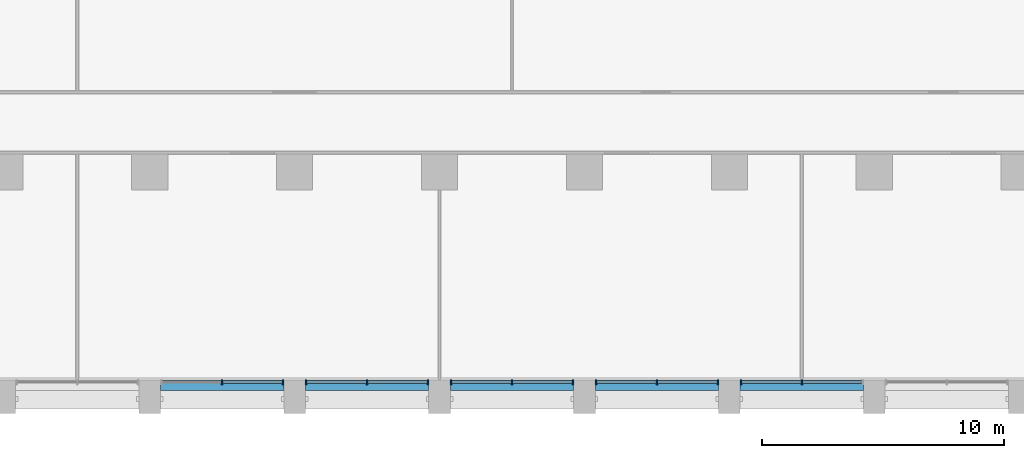
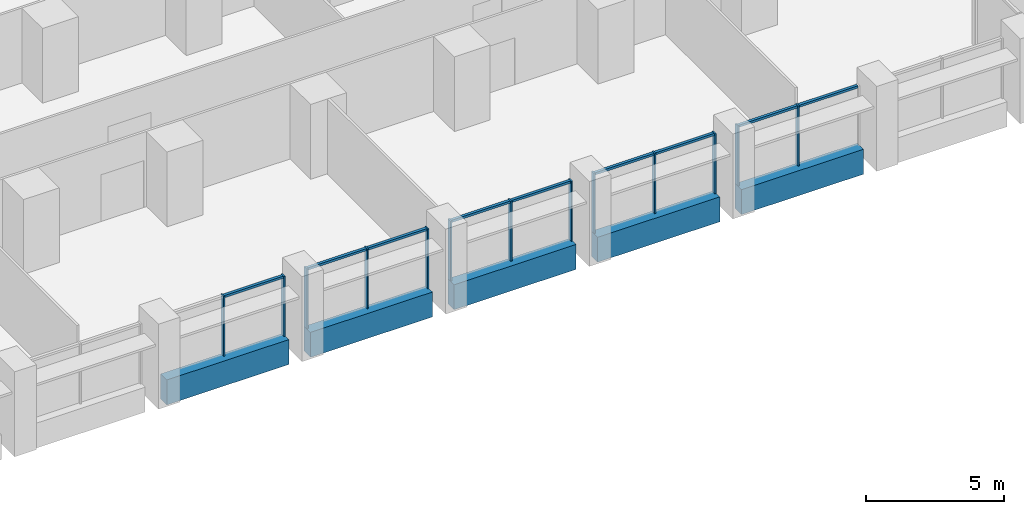
# One storey, part 3 of 18: 22 members, 5 beams, 5 elements without a shape of their own.
"""IFC4 building model written with IfcOpenShell, lengths in metres."""

from ifc_helpers import new_model, si_unit, direction, frame, origin, origin_2d, place, context, subcontext, project, spatial, rectangle, extrude, material, material_profile, profile_set, type_object, element, aggregate, save


model = new_model("IFC4")

# Units and contexts
model_context = context("Model", 3, precision=1e-05, world=origin(), true_north=direction((0.0, 1.0)))
body_context = subcontext(model_context, "Body", "Model", "MODEL_VIEW")
ifc_project = project(units=[si_unit("LENGTHUNIT", "METRE"), si_unit("AREAUNIT", "SQUARE_METRE"), si_unit("VOLUMEUNIT", "CUBIC_METRE"), si_unit("PLANEANGLEUNIT", "RADIAN"), si_unit("MASSUNIT", "GRAM", prefix="KILO")], contexts=[model_context])

# Site, building, storey
site_placement = place(None, origin())
site = spatial("IfcSite", under=ifc_project, at=site_placement, CompositionType="ELEMENT")
building_placement = place(site_placement, origin())
building = spatial("IfcBuilding", under=site, at=building_placement, Name="Calvaro Tower", CompositionType="ELEMENT")
storey_placement = place(building_placement, frame((0.0, 0.0, 82.5)))
storey = spatial("IfcBuildingStorey", under=building, at=storey_placement, Name="L20", CompositionType="ELEMENT", Elevation=82.5)

# Curtain wall, members
ifc_material_1 = material(Name="Anodised aluminium", Category="aluminium")
curtain_wall_type = type_object("IfcCurtainWallType", Name="Office curtain wall, lower zone", PredefinedType="NOTDEFINED", material=ifc_material_1)
curtain_wall_1_placement = place(storey_placement, origin())
curtain_wall_1 = element("IfcCurtainWall", 1, at=curtain_wall_1_placement, inside=storey, type_object=curtain_wall_type, Name="CW1 south curtain wall", PredefinedType="NOTDEFINED")
ifc_material_2 = material(Name="Anodised aluminium", Category="aluminium")
ifc_material_profile_1 = material_profile(ifc_material_2, rectangle(XDim=0.199951171875, YDim=0.06005859375, at=origin_2d()), Name="Mullion S1 60 x 200")
ifc_profile_set_1 = profile_set([ifc_material_profile_1], Name="Anodised aluminium")
member_type_1 = type_object("IfcMemberType", Name="Mullion S1 60 x 200", PredefinedType="MULLION", material=ifc_profile_set_1)
member_1_placement = place(storey_placement, frame((39.0, 1.300048828125, 0.0), z_axis=(0.0, 0.0, 1.0), x_axis=(0.0, 1.0, 0.0)))
member_1 = element("IfcMember", 2, at=member_1_placement, type_object=member_type_1, Name="CW1 mullion 2", PredefinedType="MULLION", context=body_context, shape_type="SweptSolid", body=[
    extrude(rectangle(XDim=0.199951171875, YDim=0.06005859375, at=origin_2d()), origin(), (0.0, 0.0, 1.0), 2.64990234375),
])
member_2_placement = place(storey_placement, frame((41.52001953125, 1.300048828125, 0.0), z_axis=(0.0, 0.0, 1.0), x_axis=(0.0, 1.0, 0.0)))
member_2 = element("IfcMember", 3, at=member_2_placement, type_object=member_type_1, Name="CW1 mullion 3", PredefinedType="MULLION", context=body_context, shape_type="SweptSolid", body=[
    extrude(rectangle(XDim=0.199951171875, YDim=0.06005859375, at=origin_2d()), origin(), (0.0, 0.0, 1.0), 2.64990234375),
])

curtain_wall_2_placement = place(storey_placement, origin())
curtain_wall_2 = element("IfcCurtainWall", 4, at=curtain_wall_2_placement, inside=storey, type_object=curtain_wall_type, Name="CW1 south curtain wall", PredefinedType="NOTDEFINED")
member_3_placement = place(storey_placement, frame((42.47998046875, 1.300048828125, 0.0), z_axis=(0.0, 0.0, 1.0), x_axis=(0.0, 1.0, 0.0)))
member_3 = element("IfcMember", 5, at=member_3_placement, type_object=member_type_1, Name="CW1 mullion 1", PredefinedType="MULLION", context=body_context, shape_type="SweptSolid", body=[
    extrude(rectangle(XDim=0.199951171875, YDim=0.06005859375, at=origin_2d()), origin(), (0.0, 0.0, 1.0), 2.64990234375),
])
member_4_placement = place(storey_placement, frame((45.0, 1.300048828125, 0.0), z_axis=(0.0, 0.0, 1.0), x_axis=(0.0, 1.0, 0.0)))
member_4 = element("IfcMember", 6, at=member_4_placement, type_object=member_type_1, Name="CW1 mullion 2", PredefinedType="MULLION", context=body_context, shape_type="SweptSolid", body=[
    extrude(rectangle(XDim=0.199951171875, YDim=0.06005859375, at=origin_2d()), origin(), (0.0, 0.0, 1.0), 2.64990234375),
])
member_5_placement = place(storey_placement, frame((47.52001953125, 1.300048828125, 0.0), z_axis=(0.0, 0.0, 1.0), x_axis=(0.0, 1.0, 0.0)))
member_5 = element("IfcMember", 7, at=member_5_placement, type_object=member_type_1, Name="CW1 mullion 3", PredefinedType="MULLION", context=body_context, shape_type="SweptSolid", body=[
    extrude(rectangle(XDim=0.199951171875, YDim=0.06005859375, at=origin_2d()), origin(), (0.0, 0.0, 1.0), 2.64990234375),
])

curtain_wall_3_placement = place(storey_placement, origin())
curtain_wall_3 = element("IfcCurtainWall", 8, at=curtain_wall_3_placement, inside=storey, type_object=curtain_wall_type, Name="CW1 south curtain wall", PredefinedType="NOTDEFINED")
member_6_placement = place(storey_placement, frame((48.47998046875, 1.300048828125, 0.0), z_axis=(0.0, 0.0, 1.0), x_axis=(0.0, 1.0, 0.0)))
member_6 = element("IfcMember", 9, at=member_6_placement, type_object=member_type_1, Name="CW1 mullion 1", PredefinedType="MULLION", context=body_context, shape_type="SweptSolid", body=[
    extrude(rectangle(XDim=0.199951171875, YDim=0.06005859375, at=origin_2d()), origin(), (0.0, 0.0, 1.0), 2.64990234375),
])
member_7_placement = place(storey_placement, frame((51.0, 1.300048828125, 0.0), z_axis=(0.0, 0.0, 1.0), x_axis=(0.0, 1.0, 0.0)))
member_7 = element("IfcMember", 10, at=member_7_placement, type_object=member_type_1, Name="CW1 mullion 2", PredefinedType="MULLION", context=body_context, shape_type="SweptSolid", body=[
    extrude(rectangle(XDim=0.199951171875, YDim=0.06005859375, at=origin_2d()), origin(), (0.0, 0.0, 1.0), 2.64990234375),
])
member_8_placement = place(storey_placement, frame((53.52001953125, 1.300048828125, 0.0), z_axis=(0.0, 0.0, 1.0), x_axis=(0.0, 1.0, 0.0)))
member_8 = element("IfcMember", 11, at=member_8_placement, type_object=member_type_1, Name="CW1 mullion 3", PredefinedType="MULLION", context=body_context, shape_type="SweptSolid", body=[
    extrude(rectangle(XDim=0.199951171875, YDim=0.06005859375, at=origin_2d()), origin(), (0.0, 0.0, 1.0), 2.64990234375),
])

curtain_wall_4_placement = place(storey_placement, origin())
curtain_wall_4 = element("IfcCurtainWall", 12, at=curtain_wall_4_placement, inside=storey, type_object=curtain_wall_type, Name="CW1 south curtain wall", PredefinedType="NOTDEFINED")
member_9_placement = place(storey_placement, frame((54.47998046875, 1.300048828125, 0.0), z_axis=(0.0, 0.0, 1.0), x_axis=(0.0, 1.0, 0.0)))
member_9 = element("IfcMember", 13, at=member_9_placement, type_object=member_type_1, Name="CW1 mullion 1", PredefinedType="MULLION", context=body_context, shape_type="SweptSolid", body=[
    extrude(rectangle(XDim=0.199951171875, YDim=0.06005859375, at=origin_2d()), origin(), (0.0, 0.0, 1.0), 2.64990234375),
])
member_10_placement = place(storey_placement, frame((57.0, 1.300048828125, 0.0), z_axis=(0.0, 0.0, 1.0), x_axis=(0.0, 1.0, 0.0)))
member_10 = element("IfcMember", 14, at=member_10_placement, type_object=member_type_1, Name="CW1 mullion 2", PredefinedType="MULLION", context=body_context, shape_type="SweptSolid", body=[
    extrude(rectangle(XDim=0.199951171875, YDim=0.06005859375, at=origin_2d()), origin(), (0.0, 0.0, 1.0), 2.64990234375),
])
member_11_placement = place(storey_placement, frame((59.52001953125, 1.300048828125, 0.0), z_axis=(0.0, 0.0, 1.0), x_axis=(0.0, 1.0, 0.0)))
member_11 = element("IfcMember", 15, at=member_11_placement, type_object=member_type_1, Name="CW1 mullion 3", PredefinedType="MULLION", context=body_context, shape_type="SweptSolid", body=[
    extrude(rectangle(XDim=0.199951171875, YDim=0.06005859375, at=origin_2d()), origin(), (0.0, 0.0, 1.0), 2.64990234375),
])

curtain_wall_5_placement = place(storey_placement, origin())
curtain_wall_5 = element("IfcCurtainWall", 16, at=curtain_wall_5_placement, inside=storey, type_object=curtain_wall_type, Name="CW1 south curtain wall", PredefinedType="NOTDEFINED")
member_12_placement = place(storey_placement, frame((60.47998046875, 1.300048828125, 0.0), z_axis=(0.0, 0.0, 1.0), x_axis=(0.0, 1.0, 0.0)))
member_12 = element("IfcMember", 17, at=member_12_placement, type_object=member_type_1, Name="CW1 mullion 1", PredefinedType="MULLION", context=body_context, shape_type="SweptSolid", body=[
    extrude(rectangle(XDim=0.199951171875, YDim=0.06005859375, at=origin_2d()), origin(), (0.0, 0.0, 1.0), 2.64990234375),
])
member_13_placement = place(storey_placement, frame((63.0, 1.300048828125, 0.0), z_axis=(0.0, 0.0, 1.0), x_axis=(0.0, 1.0, 0.0)))
member_13 = element("IfcMember", 18, at=member_13_placement, type_object=member_type_1, Name="CW1 mullion 2", PredefinedType="MULLION", context=body_context, shape_type="SweptSolid", body=[
    extrude(rectangle(XDim=0.199951171875, YDim=0.06005859375, at=origin_2d()), origin(), (0.0, 0.0, 1.0), 2.64990234375),
])

# Beams
ifc_material_3 = material(Name="Concrete C50/60 precast", Category="concrete")
ifc_material_profile_2 = material_profile(ifc_material_3, rectangle(XDim=0.449951171875, YDim=1.10009765625, at=origin_2d()), Name="RC 450x1100")
ifc_profile_set_2 = profile_set([ifc_material_profile_2], Name="Concrete C50/60 precast")
beam_type = type_object("IfcBeamType", Name="Spandrel beam 450x1100 C50/60", PredefinedType="SPANDREL", material=ifc_profile_set_2)
for number, where, z_axis, x_axis, name in (
    (19, (36.449951171875, 1.175048828125, -0.550048828125), (1.0, 0.0, 0.0), (0.0, 1.0, 0.0), "Spandrel beam"),
    (20, (42.449951171875, 1.175048828125, -0.550048828125), (1.0, 0.0, 0.0), (0.0, 1.0, 0.0), "Spandrel beam"),
    (21, (48.449951171875, 1.175048828125, -0.550048828125), (1.0, 0.0, 0.0), (0.0, 1.0, 0.0), "Spandrel beam"),
    (22, (54.449951171875, 1.175048828125, -0.550048828125), (1.0, 0.0, 0.0), (0.0, 1.0, 0.0), "Spandrel beam"),
    (23, (60.449951171875, 1.175048828125, -0.550048828125), (1.0, 0.0, 0.0), (0.0, 1.0, 0.0), "Spandrel beam"),
):
    element("IfcBeam", number, at=place(storey_placement, frame(where, z_axis=z_axis, x_axis=x_axis)), inside=storey, type_object=beam_type, Name=name, PredefinedType="SPANDREL", context=body_context, shape_type="SweptSolid", body=[
        extrude(rectangle(XDim=0.449951171875, YDim=1.10009765625, at=origin_2d()), origin(), (0.0, 0.0, 1.0), 5.10009765625),
    ])

# Member
ifc_material_4 = material(Name="Anodised aluminium", Category="aluminium")
ifc_material_profile_3 = material_profile(ifc_material_4, rectangle(XDim=0.1201171875, YDim=0.10009765625, at=origin_2d()), Name="Transom S1 100 x 120")
ifc_profile_set_3 = profile_set([ifc_material_profile_3], Name="Anodised aluminium")
member_type_2 = type_object("IfcMemberType", Name="Transom S1 100 x 120", PredefinedType="USERDEFINED", material=ifc_profile_set_3)
member_14_placement = place(storey_placement, frame((39.030029296875, 1.300048828125, 2.60009765625), z_axis=(1.0, 0.0, 0.0), x_axis=(0.0, 1.0, 0.0)))
member_14 = element("IfcMember", 24, at=member_14_placement, type_object=member_type_2, Name="CW1 transom 2.1", ObjectType="TRANSOM", PredefinedType="USERDEFINED", context=body_context, shape_type="SweptSolid", body=[
    extrude(rectangle(XDim=0.1201171875, YDim=0.10009765625, at=origin_2d()), origin(), (0.0, 0.0, 1.0), 2.4599609375),
])

aggregate(curtain_wall_1, [member_1, member_2, member_14])

member_15_placement = place(storey_placement, frame((42.510009765625, 1.300048828125, 2.60009765625), z_axis=(1.0, 0.0, 0.0), x_axis=(0.0, 1.0, 0.0)))
member_15 = element("IfcMember", 25, at=member_15_placement, type_object=member_type_2, Name="CW1 transom 1.1", ObjectType="TRANSOM", PredefinedType="USERDEFINED", context=body_context, shape_type="SweptSolid", body=[
    extrude(rectangle(XDim=0.1201171875, YDim=0.10009765625, at=origin_2d()), origin(), (0.0, 0.0, 1.0), 2.4599609375),
])

member_16_placement = place(storey_placement, frame((45.030029296875, 1.300048828125, 2.60009765625), z_axis=(1.0, 0.0, 0.0), x_axis=(0.0, 1.0, 0.0)))
member_16 = element("IfcMember", 26, at=member_16_placement, type_object=member_type_2, Name="CW1 transom 2.1", ObjectType="TRANSOM", PredefinedType="USERDEFINED", context=body_context, shape_type="SweptSolid", body=[
    extrude(rectangle(XDim=0.1201171875, YDim=0.10009765625, at=origin_2d()), origin(), (0.0, 0.0, 1.0), 2.4599609375),
])

aggregate(curtain_wall_2, [member_3, member_4, member_5, member_15, member_16])

member_17_placement = place(storey_placement, frame((48.510009765625, 1.300048828125, 2.60009765625), z_axis=(1.0, 0.0, 0.0), x_axis=(0.0, 1.0, 0.0)))
member_17 = element("IfcMember", 27, at=member_17_placement, type_object=member_type_2, Name="CW1 transom 1.1", ObjectType="TRANSOM", PredefinedType="USERDEFINED", context=body_context, shape_type="SweptSolid", body=[
    extrude(rectangle(XDim=0.1201171875, YDim=0.10009765625, at=origin_2d()), origin(), (0.0, 0.0, 1.0), 2.4599609375),
])

member_18_placement = place(storey_placement, frame((51.030029296875, 1.300048828125, 2.60009765625), z_axis=(1.0, 0.0, 0.0), x_axis=(0.0, 1.0, 0.0)))
member_18 = element("IfcMember", 28, at=member_18_placement, type_object=member_type_2, Name="CW1 transom 2.1", ObjectType="TRANSOM", PredefinedType="USERDEFINED", context=body_context, shape_type="SweptSolid", body=[
    extrude(rectangle(XDim=0.1201171875, YDim=0.10009765625, at=origin_2d()), origin(), (0.0, 0.0, 1.0), 2.4599609375),
])

aggregate(curtain_wall_3, [member_6, member_7, member_8, member_17, member_18])

member_19_placement = place(storey_placement, frame((54.510009765625, 1.300048828125, 2.60009765625), z_axis=(1.0, 0.0, 0.0), x_axis=(0.0, 1.0, 0.0)))
member_19 = element("IfcMember", 29, at=member_19_placement, type_object=member_type_2, Name="CW1 transom 1.1", ObjectType="TRANSOM", PredefinedType="USERDEFINED", context=body_context, shape_type="SweptSolid", body=[
    extrude(rectangle(XDim=0.1201171875, YDim=0.10009765625, at=origin_2d()), origin(), (0.0, 0.0, 1.0), 2.4599609375),
])

member_20_placement = place(storey_placement, frame((57.030029296875, 1.300048828125, 2.60009765625), z_axis=(1.0, 0.0, 0.0), x_axis=(0.0, 1.0, 0.0)))
member_20 = element("IfcMember", 30, at=member_20_placement, type_object=member_type_2, Name="CW1 transom 2.1", ObjectType="TRANSOM", PredefinedType="USERDEFINED", context=body_context, shape_type="SweptSolid", body=[
    extrude(rectangle(XDim=0.1201171875, YDim=0.10009765625, at=origin_2d()), origin(), (0.0, 0.0, 1.0), 2.4599609375),
])

aggregate(curtain_wall_4, [member_9, member_10, member_11, member_19, member_20])

member_21_placement = place(storey_placement, frame((60.510009765625, 1.300048828125, 2.60009765625), z_axis=(1.0, 0.0, 0.0), x_axis=(0.0, 1.0, 0.0)))
member_21 = element("IfcMember", 31, at=member_21_placement, type_object=member_type_2, Name="CW1 transom 1.1", ObjectType="TRANSOM", PredefinedType="USERDEFINED", context=body_context, shape_type="SweptSolid", body=[
    extrude(rectangle(XDim=0.1201171875, YDim=0.10009765625, at=origin_2d()), origin(), (0.0, 0.0, 1.0), 2.4599609375),
])

member_22_placement = place(storey_placement, frame((63.030029296875, 1.300048828125, 2.60009765625), z_axis=(1.0, 0.0, 0.0), x_axis=(0.0, 1.0, 0.0)))
member_22 = element("IfcMember", 32, at=member_22_placement, type_object=member_type_2, Name="CW1 transom 2.1", ObjectType="TRANSOM", PredefinedType="USERDEFINED", context=body_context, shape_type="SweptSolid", body=[
    extrude(rectangle(XDim=0.1201171875, YDim=0.10009765625, at=origin_2d()), origin(), (0.0, 0.0, 1.0), 2.4599609375),
])

aggregate(curtain_wall_5, [member_12, member_13, member_21, member_22])

save(model, "model.ifc")
